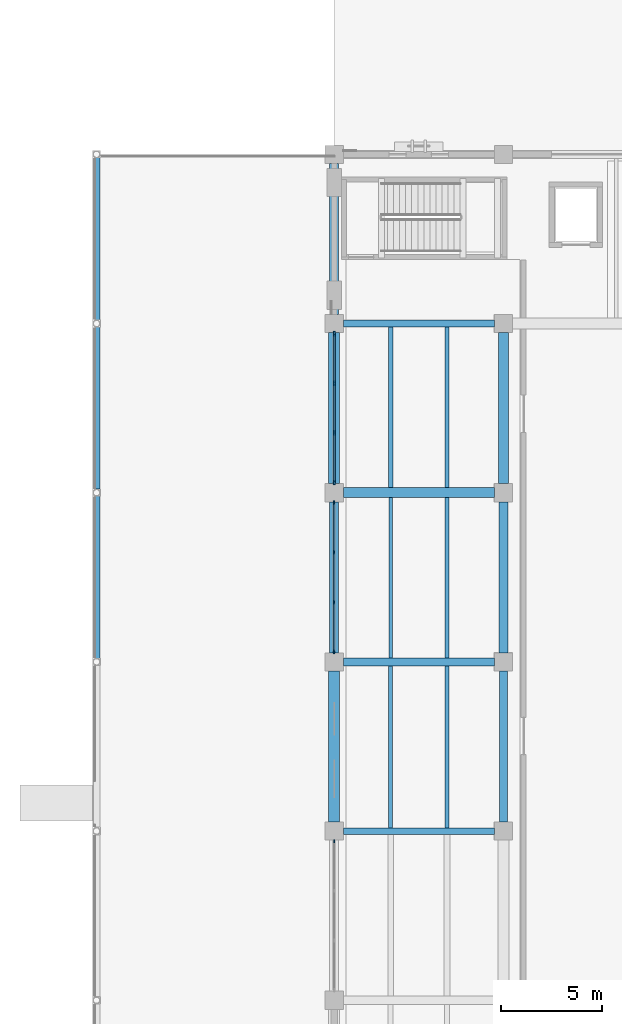
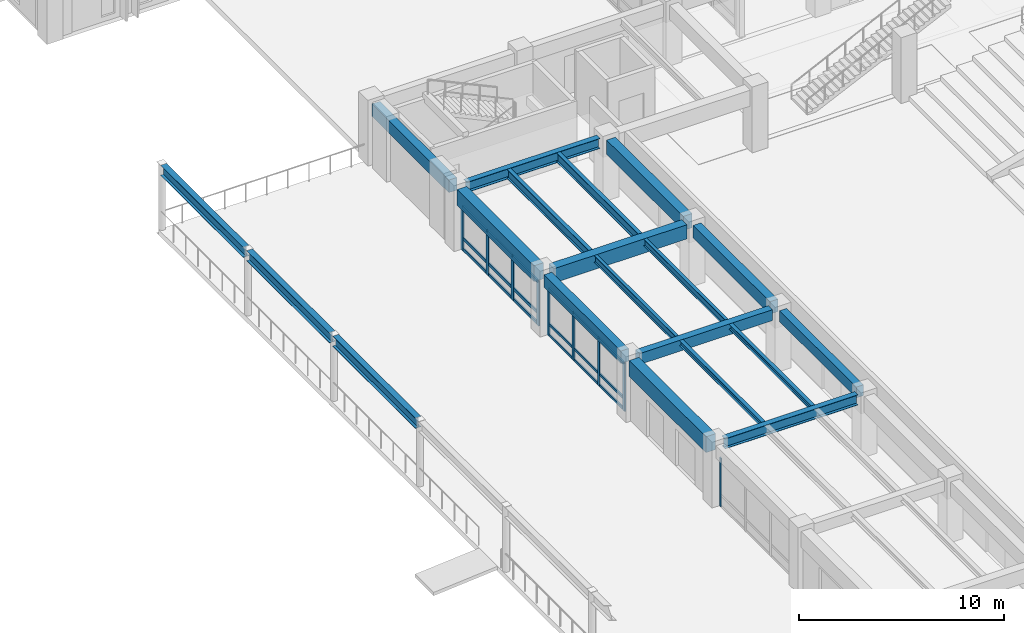
# One storey, part 27 of 135: 27 members, 20 beams, 3 elements without a shape of their own.
"""IFC4 building model written with IfcOpenShell, lengths in metres."""

from ifc_helpers import new_model, si_unit, direction, frame, origin, origin_2d, place, context, subcontext, project, spatial, rectangle, i_section, extrude, material, material_profile, profile_set, type_object, element, aggregate, save


model = new_model("IFC4")

# Units and contexts
model_context = context("Model", 3, precision=1e-05, world=origin(), true_north=direction((0.0, 1.0)))
body_context = subcontext(model_context, "Body", "Model", "MODEL_VIEW")
ifc_project = project(units=[si_unit("LENGTHUNIT", "METRE"), si_unit("AREAUNIT", "SQUARE_METRE"), si_unit("VOLUMEUNIT", "CUBIC_METRE"), si_unit("PLANEANGLEUNIT", "RADIAN"), si_unit("MASSUNIT", "GRAM", prefix="KILO")], contexts=[model_context])

# Site, building, storey
site_placement = place(None, origin())
site = spatial("IfcSite", under=ifc_project, at=site_placement, CompositionType="ELEMENT")
building_placement = place(site_placement, origin())
building = spatial("IfcBuilding", under=site, at=building_placement, Name="Cumbredor Promenade Congress Hotel", CompositionType="ELEMENT")
storey_placement = place(building_placement, origin())
storey = spatial("IfcBuildingStorey", under=building, at=storey_placement, Name="L00", CompositionType="ELEMENT", Elevation=0.0)

# Beams
ifc_material_1 = material(Name="Concrete C40/50", Category="concrete")
ifc_material_profile_1 = material_profile(ifc_material_1, rectangle(XDim=0.39990234375, YDim=0.64990234375, at=origin_2d()), Name="RC BEAM 400x650")
ifc_profile_set_1 = profile_set([ifc_material_profile_1], Name="Concrete C40/50")
beam_type_1 = type_object("IfcBeamType", Name="BM-RC-400x650", PredefinedType="BEAM", material=ifc_profile_set_1)
for number, where, z_axis, x_axis, name in (
    (1, (8.85009765625, 42.0, 3.31494140625), (1.0, 0.0, 0.0), (0.0, 1.0, 0.0), "L01 X-Grid Beam 018"),
    (2, (16.800048828125, 34.050048828125, 3.31494140625), (0.0, 1.0, 0.0), (-1.0, 0.0, 0.0), "L01 Y-Grid Beam 038"),
):
    element("IfcBeam", number, at=place(storey_placement, frame(where, z_axis=z_axis, x_axis=x_axis)), inside=storey, type_object=beam_type_1, Name=name, PredefinedType="BEAM", context=body_context, shape_type="SweptSolid", body=[
        extrude(rectangle(XDim=0.39990234375, YDim=0.64990234375, at=origin_2d()), origin(), (0.0, 0.0, 1.0), 7.5),
    ])
ifc_material_profile_2 = material_profile(ifc_material_1, rectangle(XDim=0.449951171875, YDim=0.75, at=origin_2d()), Name="RC BEAM 450x750")
ifc_profile_set_2 = profile_set([ifc_material_profile_2], Name="Concrete C40/50")
beam_type_2 = type_object("IfcBeamType", Name="BM-RC-450x750", PredefinedType="BEAM", material=ifc_profile_set_2)
for number, where, z_axis, x_axis, name in (
    (3, (8.39990234375, 42.449951171875, 3.264892578125), (0.0, 1.0, 0.0), (-1.0, 0.0, 0.0), "L01 Y-Grid Beam 019"),
    (4, (8.39990234375, 59.25, 3.264892578125), (0.0, 1.0, 0.0), (-1.0, 0.0, 0.0), "L01 Y-Grid Beam 023"),
    (5, (16.800048828125, 42.449951171875, 3.264892578125), (0.0, 1.0, 0.0), (-1.0, 0.0, 0.0), "L01 Y-Grid Beam 039"),
):
    element("IfcBeam", number, at=place(storey_placement, frame(where, z_axis=z_axis, x_axis=x_axis)), inside=storey, type_object=beam_type_2, Name=name, PredefinedType="BEAM", context=body_context, shape_type="SweptSolid", body=[
        extrude(rectangle(XDim=0.449951171875, YDim=0.75, at=origin_2d()), origin(), (0.0, 0.0, 1.0), 7.5),
    ])
ifc_material_profile_3 = material_profile(ifc_material_1, rectangle(XDim=0.5, YDim=0.85009765625, at=origin_2d()), Name="RC BEAM 500x850")
ifc_profile_set_3 = profile_set([ifc_material_profile_3], Name="Concrete C40/50")
beam_type_3 = type_object("IfcBeamType", Name="BM-RC-500x850", PredefinedType="BEAM", material=ifc_profile_set_3)
for number, where, z_axis, x_axis, name in (
    (6, (8.85009765625, 50.39990234375, 3.215087890625), (1.0, 0.0, 0.0), (0.0, 1.0, 0.0), "L01 X-Grid Beam 020"),
    (7, (16.800048828125, 50.85009765625, 3.215087890625), (0.0, 1.0, 0.0), (-1.0, 0.0, 0.0), "L01 Y-Grid Beam 040"),
):
    element("IfcBeam", number, at=place(storey_placement, frame(where, z_axis=z_axis, x_axis=x_axis)), inside=storey, type_object=beam_type_3, Name=name, PredefinedType="BEAM", context=body_context, shape_type="SweptSolid", body=[
        extrude(rectangle(XDim=0.5, YDim=0.85009765625, at=origin_2d()), origin(), (0.0, 0.0, 1.0), 7.5),
    ])
ifc_material_profile_4 = material_profile(ifc_material_1, rectangle(XDim=0.550048828125, YDim=0.949951171875, at=origin_2d()), Name="RC BEAM 550x950")
ifc_profile_set_4 = profile_set([ifc_material_profile_4], Name="Concrete C40/50")
beam_type_4 = type_object("IfcBeamType", Name="BM-RC-550x950", PredefinedType="BEAM", material=ifc_profile_set_4)
for number, where, z_axis, x_axis, name in (
    (8, (8.39990234375, 34.050048828125, 3.1650390625), (0.0, 1.0, 0.0), (-1.0, 0.0, 0.0), "L01 Y-Grid Beam 017"),
    (9, (8.39990234375, 50.85009765625, 3.1650390625), (0.0, 1.0, 0.0), (-1.0, 0.0, 0.0), "L01 Y-Grid Beam 021"),
):
    element("IfcBeam", number, at=place(storey_placement, frame(where, z_axis=z_axis, x_axis=x_axis)), inside=storey, type_object=beam_type_4, Name=name, PredefinedType="BEAM", context=body_context, shape_type="SweptSolid", body=[
        extrude(rectangle(XDim=0.550048828125, YDim=0.949951171875, at=origin_2d()), origin(), (0.0, 0.0, 1.0), 7.5),
    ])
ifc_material_2 = material(Name="Steel ASTM A992 Grade 50", Category="steel")
ifc_material_profile_5 = material_profile(ifc_material_2, i_section(OverallWidth=0.323974609375, OverallDepth=0.611083984375, WebThickness=0.0126953125, FlangeThickness=0.01904296875, at=origin_2d()), Name="W24X104")
ifc_profile_set_5 = profile_set([ifc_material_profile_5], Name="Steel ASTM A992 Grade 50")
beam_type_5 = type_object("IfcBeamType", Name="BM-W24X104", PredefinedType="BEAM", material=ifc_profile_set_5)
beam_1_placement = place(storey_placement, frame((-3.39990234375, 42.179931640625, 3.60009765625), z_axis=(0.0, 1.0, 0.0), x_axis=(-1.0, 0.0, 0.0)))
element("IfcBeam", 10, at=beam_1_placement, inside=storey, type_object=beam_type_5, Name="West Promenade Canopy Edge Beam 05", PredefinedType="BEAM", context=body_context, shape_type="SweptSolid", body=[
    extrude(i_section(OverallWidth=0.323974609375, OverallDepth=0.611083984375, WebThickness=0.0126953125, FlangeThickness=0.01904296875, at=origin_2d()), origin(), (0.0, 0.0, 1.0), 8.080078125),
])
beam_2_placement = place(storey_placement, frame((-3.39990234375, 50.580078125, 3.60009765625), z_axis=(0.0, 1.0, 0.0), x_axis=(-1.0, 0.0, 0.0)))
element("IfcBeam", 11, at=beam_2_placement, inside=storey, type_object=beam_type_5, Name="West Promenade Canopy Edge Beam 06", PredefinedType="BEAM", context=body_context, shape_type="SweptSolid", body=[
    extrude(i_section(OverallWidth=0.323974609375, OverallDepth=0.611083984375, WebThickness=0.0126953125, FlangeThickness=0.01904296875, at=origin_2d()), origin(), (0.0, 0.0, 1.0), 8.079833984375),
])
beam_3_placement = place(storey_placement, frame((-3.39990234375, 58.97998046875, 3.60009765625), z_axis=(0.0, 1.0, 0.0), x_axis=(-1.0, 0.0, 0.0)))
element("IfcBeam", 12, at=beam_3_placement, inside=storey, type_object=beam_type_5, Name="West Promenade Canopy Edge Beam 07", PredefinedType="BEAM", context=body_context, shape_type="SweptSolid", body=[
    extrude(i_section(OverallWidth=0.323974609375, OverallDepth=0.611083984375, WebThickness=0.0126953125, FlangeThickness=0.01904296875, at=origin_2d()), origin(), (0.0, 0.0, 1.0), 8.080078125),
])
for number, where, z_axis, x_axis, name in (
    (13, (8.85009765625, 33.60009765625, 3.33447265625), (1.0, 0.0, 0.0), (0.0, 1.0, 0.0), "L01 X-Grid Beam 016"),
    (14, (8.85009765625, 58.800048828125, 3.33447265625), (1.0, 0.0, 0.0), (0.0, 1.0, 0.0), "L01 X-Grid Beam 022"),
):
    element("IfcBeam", number, at=place(storey_placement, frame(where, z_axis=z_axis, x_axis=x_axis)), inside=storey, type_object=beam_type_5, Name=name, PredefinedType="BEAM", context=body_context, shape_type="SweptSolid", body=[
        extrude(i_section(OverallWidth=0.323974609375, OverallDepth=0.611083984375, WebThickness=0.0126953125, FlangeThickness=0.01904296875, at=origin_2d()), origin(), (0.0, 0.0, 1.0), 7.5),
    ])

# Curtain wall, member
ifc_material_3 = material(Name="Thermally broken anodized aluminium and low-E glass", Category="aluminium")
curtain_wall_type = type_object("IfcCurtainWallType", Name="Unitised Grand Foyer Curtain Wall CW-04", PredefinedType="NOTDEFINED", material=ifc_material_3)
curtain_wall_1_placement = place(storey_placement, origin())
curtain_wall_1 = element("IfcCurtainWall", 15, at=curtain_wall_1_placement, inside=storey, type_object=curtain_wall_type, Name="L00 Plenary Congress Hall West Curtain Wall 3", PredefinedType="NOTDEFINED")
ifc_material_4 = material(Name="Thermally broken anodized aluminium", Category="aluminium")
ifc_material_profile_6 = material_profile(ifc_material_4, rectangle(XDim=0.06494140625, YDim=0.159912109375, at=origin_2d()), Name="ALU MULLION 65x160")
ifc_profile_set_6 = profile_set([ifc_material_profile_6], Name="Thermally broken anodized aluminium")
member_type_1 = type_object("IfcMemberType", Name="Curtain Wall Mullion ML-01", PredefinedType="MULLION", material=ifc_profile_set_6)
member_1_placement = place(storey_placement, frame((8.39990234375, 33.094970703125, -0.008056640625), z_axis=(0.0, 0.0, 1.0), x_axis=(1.0, 0.0, 0.0)))
member_1 = element("IfcMember", 16, at=member_1_placement, type_object=member_type_1, Name="L00 Plenary Congress Hall West Curtain Wall 3 Mullion 4", PredefinedType="MULLION", context=body_context, shape_type="SweptSolid", body=[
    extrude(rectangle(XDim=0.06494140625, YDim=0.159912109375, at=origin_2d()), origin(), (0.0, 0.0, 1.0), 2.89111328125),
])
aggregate(curtain_wall_1, [member_1])

# Curtain wall, members
curtain_wall_2_placement = place(storey_placement, origin())
curtain_wall_2 = element("IfcCurtainWall", 17, at=curtain_wall_2_placement, inside=storey, type_object=curtain_wall_type, Name="L00 Plenary Congress Hall West Curtain Wall 5", PredefinedType="NOTDEFINED")
ifc_material_profile_7 = material_profile(ifc_material_4, rectangle(XDim=0.074951171875, YDim=0.199951171875, at=origin_2d()), Name="ALU MULLION 75x200")
ifc_profile_set_7 = profile_set([ifc_material_profile_7], Name="Thermally broken anodized aluminium")
member_type_2 = type_object("IfcMemberType", Name="Curtain Wall Mullion ML-02", PredefinedType="MULLION", material=ifc_profile_set_7)
member_2_placement = place(storey_placement, frame((8.39990234375, 42.5048828125, -0.008056640625), z_axis=(0.0, 0.0, 1.0), x_axis=(1.0, 0.0, 0.0)))
member_2 = element("IfcMember", 18, at=member_2_placement, type_object=member_type_2, Name="L00 Plenary Congress Hall West Curtain Wall 5 Mullion 1", PredefinedType="MULLION", context=body_context, shape_type="SweptSolid", body=[
    extrude(rectangle(XDim=0.074951171875, YDim=0.199951171875, at=origin_2d()), origin(), (0.0, 0.0, 1.0), 2.89111328125),
])
member_3_placement = place(storey_placement, frame((8.39990234375, 44.96826171875, -0.008056640625), z_axis=(0.0, 0.0, 1.0), x_axis=(1.0, 0.0, 0.0)))
member_3 = element("IfcMember", 19, at=member_3_placement, type_object=member_type_2, Name="L00 Plenary Congress Hall West Curtain Wall 5 Mullion 2", PredefinedType="MULLION", context=body_context, shape_type="SweptSolid", body=[
    extrude(rectangle(XDim=0.074951171875, YDim=0.199951171875, at=origin_2d()), origin(), (0.0, 0.0, 1.0), 2.89111328125),
])
member_4_placement = place(storey_placement, frame((8.39990234375, 47.431640625, -0.008056640625), z_axis=(0.0, 0.0, 1.0), x_axis=(1.0, 0.0, 0.0)))
member_4 = element("IfcMember", 20, at=member_4_placement, type_object=member_type_2, Name="L00 Plenary Congress Hall West Curtain Wall 5 Mullion 3", PredefinedType="MULLION", context=body_context, shape_type="SweptSolid", body=[
    extrude(rectangle(XDim=0.074951171875, YDim=0.199951171875, at=origin_2d()), origin(), (0.0, 0.0, 1.0), 2.89111328125),
])
member_5_placement = place(storey_placement, frame((8.39990234375, 49.89501953125, -0.008056640625), z_axis=(0.0, 0.0, 1.0), x_axis=(1.0, 0.0, 0.0)))
member_5 = element("IfcMember", 21, at=member_5_placement, type_object=member_type_2, Name="L00 Plenary Congress Hall West Curtain Wall 5 Mullion 4", PredefinedType="MULLION", context=body_context, shape_type="SweptSolid", body=[
    extrude(rectangle(XDim=0.074951171875, YDim=0.199951171875, at=origin_2d()), origin(), (0.0, 0.0, 1.0), 2.89111328125),
])

curtain_wall_3_placement = place(storey_placement, origin())
curtain_wall_3 = element("IfcCurtainWall", 22, at=curtain_wall_3_placement, inside=storey, type_object=curtain_wall_type, Name="L00 Plenary Congress Hall West Curtain Wall 6", PredefinedType="NOTDEFINED")
ifc_material_profile_8 = material_profile(ifc_material_4, rectangle(XDim=0.080078125, YDim=0.239990234375, at=origin_2d()), Name="ALU MULLION 80x240")
ifc_profile_set_8 = profile_set([ifc_material_profile_8], Name="Thermally broken anodized aluminium")
member_type_3 = type_object("IfcMemberType", Name="Curtain Wall Mullion ML-03", PredefinedType="MULLION", material=ifc_profile_set_8)
member_6_placement = place(storey_placement, frame((8.39990234375, 50.905029296875, -0.008056640625), z_axis=(0.0, 0.0, 1.0), x_axis=(1.0, 0.0, 0.0)))
member_6 = element("IfcMember", 23, at=member_6_placement, type_object=member_type_3, Name="L00 Plenary Congress Hall West Curtain Wall 6 Mullion 1", PredefinedType="MULLION", context=body_context, shape_type="SweptSolid", body=[
    extrude(rectangle(XDim=0.080078125, YDim=0.239990234375, at=origin_2d()), origin(), (0.0, 0.0, 1.0), 2.691162109375),
])
member_7_placement = place(storey_placement, frame((8.39990234375, 53.368408203125, -0.008056640625), z_axis=(0.0, 0.0, 1.0), x_axis=(1.0, 0.0, 0.0)))
member_7 = element("IfcMember", 24, at=member_7_placement, type_object=member_type_3, Name="L00 Plenary Congress Hall West Curtain Wall 6 Mullion 2", PredefinedType="MULLION", context=body_context, shape_type="SweptSolid", body=[
    extrude(rectangle(XDim=0.080078125, YDim=0.239990234375, at=origin_2d()), origin(), (0.0, 0.0, 1.0), 2.691162109375),
])
member_8_placement = place(storey_placement, frame((8.39990234375, 55.831787109375, -0.008056640625), z_axis=(0.0, 0.0, 1.0), x_axis=(1.0, 0.0, 0.0)))
member_8 = element("IfcMember", 25, at=member_8_placement, type_object=member_type_3, Name="L00 Plenary Congress Hall West Curtain Wall 6 Mullion 3", PredefinedType="MULLION", context=body_context, shape_type="SweptSolid", body=[
    extrude(rectangle(XDim=0.080078125, YDim=0.239990234375, at=origin_2d()), origin(), (0.0, 0.0, 1.0), 2.691162109375),
])
member_9_placement = place(storey_placement, frame((8.39990234375, 58.294921875, -0.008056640625), z_axis=(0.0, 0.0, 1.0), x_axis=(1.0, 0.0, 0.0)))
member_9 = element("IfcMember", 26, at=member_9_placement, type_object=member_type_3, Name="L00 Plenary Congress Hall West Curtain Wall 6 Mullion 4", PredefinedType="MULLION", context=body_context, shape_type="SweptSolid", body=[
    extrude(rectangle(XDim=0.080078125, YDim=0.239990234375, at=origin_2d()), origin(), (0.0, 0.0, 1.0), 2.691162109375),
])

# Member
ifc_material_profile_9 = material_profile(ifc_material_4, rectangle(XDim=0.074951171875, YDim=0.14990234375, at=origin_2d()), Name="ALU TRANSOM 75x150")
ifc_profile_set_9 = profile_set([ifc_material_profile_9], Name="Thermally broken anodized aluminium")
member_type_4 = type_object("IfcMemberType", Name="Curtain Wall Transom TR-02", PredefinedType="USERDEFINED", material=ifc_profile_set_9)
member_10_placement = place(storey_placement, frame((8.39990234375, 42.54248046875, 0.070068359375), z_axis=(0.0, 1.0, 0.0), x_axis=(-1.0, 0.0, 0.0)))
member_10 = element("IfcMember", 27, at=member_10_placement, type_object=member_type_4, Name="L00 Plenary Congress Hall West Curtain Wall 5 Transom 1.1", ObjectType="TRANSOM", PredefinedType="USERDEFINED", context=body_context, shape_type="SweptSolid", body=[
    extrude(rectangle(XDim=0.074951171875, YDim=0.14990234375, at=origin_2d()), origin(), (0.0, 0.0, 1.0), 2.388427734375),
])

member_11_placement = place(storey_placement, frame((8.39990234375, 42.54248046875, 0.719970703125), z_axis=(0.0, 1.0, 0.0), x_axis=(-1.0, 0.0, 0.0)))
member_11 = element("IfcMember", 28, at=member_11_placement, type_object=member_type_4, Name="L00 Plenary Congress Hall West Curtain Wall 5 Transom 1.2", ObjectType="TRANSOM", PredefinedType="USERDEFINED", context=body_context, shape_type="SweptSolid", body=[
    extrude(rectangle(XDim=0.074951171875, YDim=0.14990234375, at=origin_2d()), origin(), (0.0, 0.0, 1.0), 2.388427734375),
])

member_12_placement = place(storey_placement, frame((8.39990234375, 42.54248046875, 2.800048828125), z_axis=(0.0, 1.0, 0.0), x_axis=(-1.0, 0.0, 0.0)))
member_12 = element("IfcMember", 29, at=member_12_placement, type_object=member_type_4, Name="L00 Plenary Congress Hall West Curtain Wall 5 Transom 1.3", ObjectType="TRANSOM", PredefinedType="USERDEFINED", context=body_context, shape_type="SweptSolid", body=[
    extrude(rectangle(XDim=0.074951171875, YDim=0.14990234375, at=origin_2d()), origin(), (0.0, 0.0, 1.0), 2.388427734375),
])

member_13_placement = place(storey_placement, frame((8.39990234375, 45.005859375, 0.070068359375), z_axis=(0.0, 1.0, 0.0), x_axis=(-1.0, 0.0, 0.0)))
member_13 = element("IfcMember", 30, at=member_13_placement, type_object=member_type_4, Name="L00 Plenary Congress Hall West Curtain Wall 5 Transom 2.1", ObjectType="TRANSOM", PredefinedType="USERDEFINED", context=body_context, shape_type="SweptSolid", body=[
    extrude(rectangle(XDim=0.074951171875, YDim=0.14990234375, at=origin_2d()), origin(), (0.0, 0.0, 1.0), 2.388427734375),
])

member_14_placement = place(storey_placement, frame((8.39990234375, 45.005859375, 0.719970703125), z_axis=(0.0, 1.0, 0.0), x_axis=(-1.0, 0.0, 0.0)))
member_14 = element("IfcMember", 31, at=member_14_placement, type_object=member_type_4, Name="L00 Plenary Congress Hall West Curtain Wall 5 Transom 2.2", ObjectType="TRANSOM", PredefinedType="USERDEFINED", context=body_context, shape_type="SweptSolid", body=[
    extrude(rectangle(XDim=0.074951171875, YDim=0.14990234375, at=origin_2d()), origin(), (0.0, 0.0, 1.0), 2.388427734375),
])

member_15_placement = place(storey_placement, frame((8.39990234375, 45.005859375, 2.800048828125), z_axis=(0.0, 1.0, 0.0), x_axis=(-1.0, 0.0, 0.0)))
member_15 = element("IfcMember", 32, at=member_15_placement, type_object=member_type_4, Name="L00 Plenary Congress Hall West Curtain Wall 5 Transom 2.3", ObjectType="TRANSOM", PredefinedType="USERDEFINED", context=body_context, shape_type="SweptSolid", body=[
    extrude(rectangle(XDim=0.074951171875, YDim=0.14990234375, at=origin_2d()), origin(), (0.0, 0.0, 1.0), 2.388427734375),
])

member_16_placement = place(storey_placement, frame((8.39990234375, 47.46923828125, 0.070068359375), z_axis=(0.0, 1.0, 0.0), x_axis=(-1.0, 0.0, 0.0)))
member_16 = element("IfcMember", 33, at=member_16_placement, type_object=member_type_4, Name="L00 Plenary Congress Hall West Curtain Wall 5 Transom 3.1", ObjectType="TRANSOM", PredefinedType="USERDEFINED", context=body_context, shape_type="SweptSolid", body=[
    extrude(rectangle(XDim=0.074951171875, YDim=0.14990234375, at=origin_2d()), origin(), (0.0, 0.0, 1.0), 2.38818359375),
])

member_17_placement = place(storey_placement, frame((8.39990234375, 47.46923828125, 0.719970703125), z_axis=(0.0, 1.0, 0.0), x_axis=(-1.0, 0.0, 0.0)))
member_17 = element("IfcMember", 34, at=member_17_placement, type_object=member_type_4, Name="L00 Plenary Congress Hall West Curtain Wall 5 Transom 3.2", ObjectType="TRANSOM", PredefinedType="USERDEFINED", context=body_context, shape_type="SweptSolid", body=[
    extrude(rectangle(XDim=0.074951171875, YDim=0.14990234375, at=origin_2d()), origin(), (0.0, 0.0, 1.0), 2.38818359375),
])

member_18_placement = place(storey_placement, frame((8.39990234375, 47.46923828125, 2.800048828125), z_axis=(0.0, 1.0, 0.0), x_axis=(-1.0, 0.0, 0.0)))
member_18 = element("IfcMember", 35, at=member_18_placement, type_object=member_type_4, Name="L00 Plenary Congress Hall West Curtain Wall 5 Transom 3.3", ObjectType="TRANSOM", PredefinedType="USERDEFINED", context=body_context, shape_type="SweptSolid", body=[
    extrude(rectangle(XDim=0.074951171875, YDim=0.14990234375, at=origin_2d()), origin(), (0.0, 0.0, 1.0), 2.38818359375),
])

aggregate(curtain_wall_2, [member_2, member_3, member_4, member_5, member_10, member_11, member_12, member_13, member_14, member_15, member_16, member_17, member_18])

ifc_material_profile_10 = material_profile(ifc_material_4, rectangle(XDim=0.080078125, YDim=0.179931640625, at=origin_2d()), Name="ALU TRANSOM 80x180")
ifc_profile_set_10 = profile_set([ifc_material_profile_10], Name="Thermally broken anodized aluminium")
member_type_5 = type_object("IfcMemberType", Name="Curtain Wall Transom TR-03", PredefinedType="USERDEFINED", material=ifc_profile_set_10)
member_19_placement = place(storey_placement, frame((8.39990234375, 50.945068359375, 0.090087890625), z_axis=(0.0, 1.0, 0.0), x_axis=(-1.0, 0.0, 0.0)))
member_19 = element("IfcMember", 36, at=member_19_placement, type_object=member_type_5, Name="L00 Plenary Congress Hall West Curtain Wall 6 Transom 1.1", ObjectType="TRANSOM", PredefinedType="USERDEFINED", context=body_context, shape_type="SweptSolid", body=[
    extrude(rectangle(XDim=0.080078125, YDim=0.179931640625, at=origin_2d()), origin(), (0.0, 0.0, 1.0), 2.38330078125),
])

member_20_placement = place(storey_placement, frame((8.39990234375, 50.945068359375, 0.719970703125), z_axis=(0.0, 1.0, 0.0), x_axis=(-1.0, 0.0, 0.0)))
member_20 = element("IfcMember", 37, at=member_20_placement, type_object=member_type_5, Name="L00 Plenary Congress Hall West Curtain Wall 6 Transom 1.2", ObjectType="TRANSOM", PredefinedType="USERDEFINED", context=body_context, shape_type="SweptSolid", body=[
    extrude(rectangle(XDim=0.080078125, YDim=0.179931640625, at=origin_2d()), origin(), (0.0, 0.0, 1.0), 2.38330078125),
])

member_21_placement = place(storey_placement, frame((8.39990234375, 50.945068359375, 2.580078125), z_axis=(0.0, 1.0, 0.0), x_axis=(-1.0, 0.0, 0.0)))
member_21 = element("IfcMember", 38, at=member_21_placement, type_object=member_type_5, Name="L00 Plenary Congress Hall West Curtain Wall 6 Transom 1.3", ObjectType="TRANSOM", PredefinedType="USERDEFINED", context=body_context, shape_type="SweptSolid", body=[
    extrude(rectangle(XDim=0.080078125, YDim=0.179931640625, at=origin_2d()), origin(), (0.0, 0.0, 1.0), 2.38330078125),
])

member_22_placement = place(storey_placement, frame((8.39990234375, 53.408203125, 0.090087890625), z_axis=(0.0, 1.0, 0.0), x_axis=(-1.0, 0.0, 0.0)))
member_22 = element("IfcMember", 39, at=member_22_placement, type_object=member_type_5, Name="L00 Plenary Congress Hall West Curtain Wall 6 Transom 2.1", ObjectType="TRANSOM", PredefinedType="USERDEFINED", context=body_context, shape_type="SweptSolid", body=[
    extrude(rectangle(XDim=0.080078125, YDim=0.179931640625, at=origin_2d()), origin(), (0.0, 0.0, 1.0), 2.383544921875),
])

member_23_placement = place(storey_placement, frame((8.39990234375, 53.408203125, 0.719970703125), z_axis=(0.0, 1.0, 0.0), x_axis=(-1.0, 0.0, 0.0)))
member_23 = element("IfcMember", 40, at=member_23_placement, type_object=member_type_5, Name="L00 Plenary Congress Hall West Curtain Wall 6 Transom 2.2", ObjectType="TRANSOM", PredefinedType="USERDEFINED", context=body_context, shape_type="SweptSolid", body=[
    extrude(rectangle(XDim=0.080078125, YDim=0.179931640625, at=origin_2d()), origin(), (0.0, 0.0, 1.0), 2.383544921875),
])

member_24_placement = place(storey_placement, frame((8.39990234375, 53.408203125, 2.580078125), z_axis=(0.0, 1.0, 0.0), x_axis=(-1.0, 0.0, 0.0)))
member_24 = element("IfcMember", 41, at=member_24_placement, type_object=member_type_5, Name="L00 Plenary Congress Hall West Curtain Wall 6 Transom 2.3", ObjectType="TRANSOM", PredefinedType="USERDEFINED", context=body_context, shape_type="SweptSolid", body=[
    extrude(rectangle(XDim=0.080078125, YDim=0.179931640625, at=origin_2d()), origin(), (0.0, 0.0, 1.0), 2.383544921875),
])

member_25_placement = place(storey_placement, frame((8.39990234375, 55.87158203125, 0.090087890625), z_axis=(0.0, 1.0, 0.0), x_axis=(-1.0, 0.0, 0.0)))
member_25 = element("IfcMember", 42, at=member_25_placement, type_object=member_type_5, Name="L00 Plenary Congress Hall West Curtain Wall 6 Transom 3.1", ObjectType="TRANSOM", PredefinedType="USERDEFINED", context=body_context, shape_type="SweptSolid", body=[
    extrude(rectangle(XDim=0.080078125, YDim=0.179931640625, at=origin_2d()), origin(), (0.0, 0.0, 1.0), 2.38330078125),
])

member_26_placement = place(storey_placement, frame((8.39990234375, 55.87158203125, 0.719970703125), z_axis=(0.0, 1.0, 0.0), x_axis=(-1.0, 0.0, 0.0)))
member_26 = element("IfcMember", 43, at=member_26_placement, type_object=member_type_5, Name="L00 Plenary Congress Hall West Curtain Wall 6 Transom 3.2", ObjectType="TRANSOM", PredefinedType="USERDEFINED", context=body_context, shape_type="SweptSolid", body=[
    extrude(rectangle(XDim=0.080078125, YDim=0.179931640625, at=origin_2d()), origin(), (0.0, 0.0, 1.0), 2.38330078125),
])

member_27_placement = place(storey_placement, frame((8.39990234375, 55.87158203125, 2.580078125), z_axis=(0.0, 1.0, 0.0), x_axis=(-1.0, 0.0, 0.0)))
member_27 = element("IfcMember", 44, at=member_27_placement, type_object=member_type_5, Name="L00 Plenary Congress Hall West Curtain Wall 6 Transom 3.3", ObjectType="TRANSOM", PredefinedType="USERDEFINED", context=body_context, shape_type="SweptSolid", body=[
    extrude(rectangle(XDim=0.080078125, YDim=0.179931640625, at=origin_2d()), origin(), (0.0, 0.0, 1.0), 2.38330078125),
])

aggregate(curtain_wall_3, [member_6, member_7, member_8, member_9, member_19, member_20, member_21, member_22, member_23, member_24, member_25, member_26, member_27])

# Beams
ifc_material_profile_11 = material_profile(ifc_material_2, i_section(OverallWidth=0.202880859375, OverallDepth=0.302978515625, WebThickness=0.007568359375, FlangeThickness=0.01318359375, at=origin_2d()), Name="W12X40")
ifc_profile_set_11 = profile_set([ifc_material_profile_11], Name="Steel ASTM A992 Grade 50")
beam_type_6 = type_object("IfcBeamType", Name="JST-W12X40", PredefinedType="JOIST", material=ifc_profile_set_11)
for number, where, z_axis, x_axis, name in (
    (45, (11.199951171875, 33.761962890625, 3.488525390625), (0.0, 1.0, 0.0), (-1.0, 0.0, 0.0), "L01 Secondary Floor Joist 0013"),
    (46, (14.0, 33.761962890625, 3.488525390625), (0.0, 1.0, 0.0), (-1.0, 0.0, 0.0), "L01 Secondary Floor Joist 0014"),
):
    element("IfcBeam", number, at=place(storey_placement, frame(where, z_axis=z_axis, x_axis=x_axis)), inside=storey, type_object=beam_type_6, Name=name, PredefinedType="JOIST", context=body_context, shape_type="SweptSolid", body=[
        extrude(i_section(OverallWidth=0.202880859375, OverallDepth=0.302978515625, WebThickness=0.007568359375, FlangeThickness=0.01318359375, at=origin_2d()), origin(), (0.0, 0.0, 1.0), 8.0380859375),
    ])
ifc_material_profile_12 = material_profile(ifc_material_2, i_section(OverallWidth=0.180908203125, OverallDepth=0.4169921875, WebThickness=0.010986328125, FlangeThickness=0.018310546875, at=origin_2d()), Name="W16X57")
ifc_profile_set_12 = profile_set([ifc_material_profile_12], Name="Steel ASTM A992 Grade 50")
beam_type_7 = type_object("IfcBeamType", Name="JST-W16X57", PredefinedType="JOIST", material=ifc_profile_set_12)
for number, where, z_axis, x_axis, name in (
    (47, (11.199951171875, 42.199951171875, 3.431396484375), (0.0, 1.0, 0.0), (-1.0, 0.0, 0.0), "L01 Secondary Floor Joist 0015"),
    (48, (14.0, 42.199951171875, 3.431396484375), (0.0, 1.0, 0.0), (-1.0, 0.0, 0.0), "L01 Secondary Floor Joist 0016"),
):
    element("IfcBeam", number, at=place(storey_placement, frame(where, z_axis=z_axis, x_axis=x_axis)), inside=storey, type_object=beam_type_7, Name=name, PredefinedType="JOIST", context=body_context, shape_type="SweptSolid", body=[
        extrude(i_section(OverallWidth=0.180908203125, OverallDepth=0.4169921875, WebThickness=0.010986328125, FlangeThickness=0.018310546875, at=origin_2d()), origin(), (0.0, 0.0, 1.0), 7.949951171875),
    ])
ifc_material_profile_13 = material_profile(ifc_material_2, i_section(OverallWidth=0.214111328125, OverallDepth=0.549072265625, WebThickness=0.0146484375, FlangeThickness=0.023681640625, at=origin_2d()), Name="W21X93")
ifc_profile_set_13 = profile_set([ifc_material_profile_13], Name="Steel ASTM A992 Grade 50")
beam_type_8 = type_object("IfcBeamType", Name="JST-W21X93", PredefinedType="JOIST", material=ifc_profile_set_13)
for number, where, z_axis, x_axis, name in (
    (49, (11.199951171875, 50.64990234375, 3.365478515625), (0.0, 1.0, 0.0), (-1.0, 0.0, 0.0), "L01 Secondary Floor Joist 0017"),
    (50, (14.0, 50.64990234375, 3.365478515625), (0.0, 1.0, 0.0), (-1.0, 0.0, 0.0), "L01 Secondary Floor Joist 0018"),
):
    element("IfcBeam", number, at=place(storey_placement, frame(where, z_axis=z_axis, x_axis=x_axis)), inside=storey, type_object=beam_type_8, Name=name, PredefinedType="JOIST", context=body_context, shape_type="SweptSolid", body=[
        extrude(i_section(OverallWidth=0.214111328125, OverallDepth=0.549072265625, WebThickness=0.0146484375, FlangeThickness=0.023681640625, at=origin_2d()), origin(), (0.0, 0.0, 1.0), 7.988037109375),
    ])

save(model, "model.ifc")
